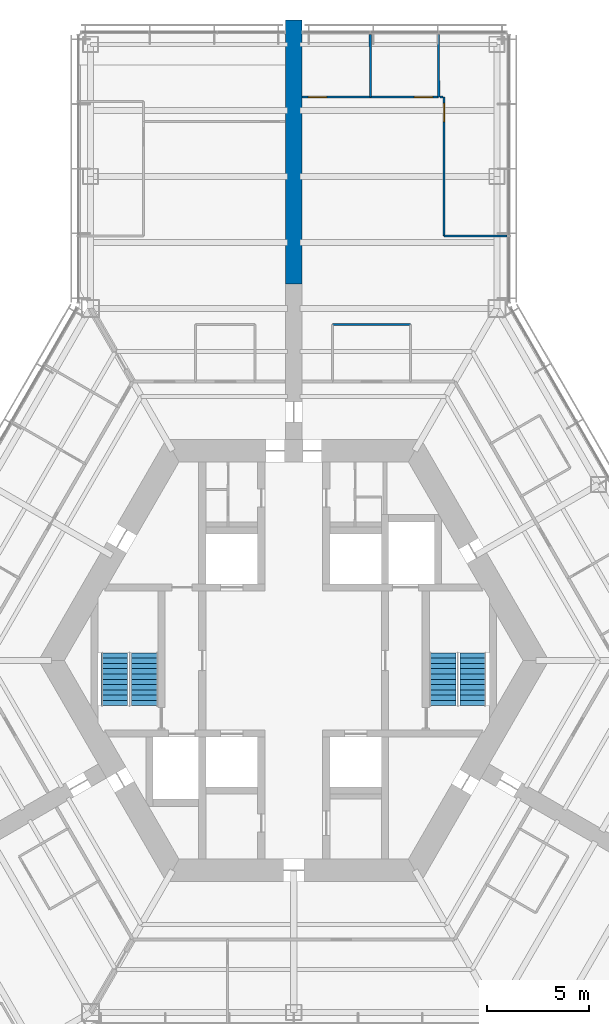
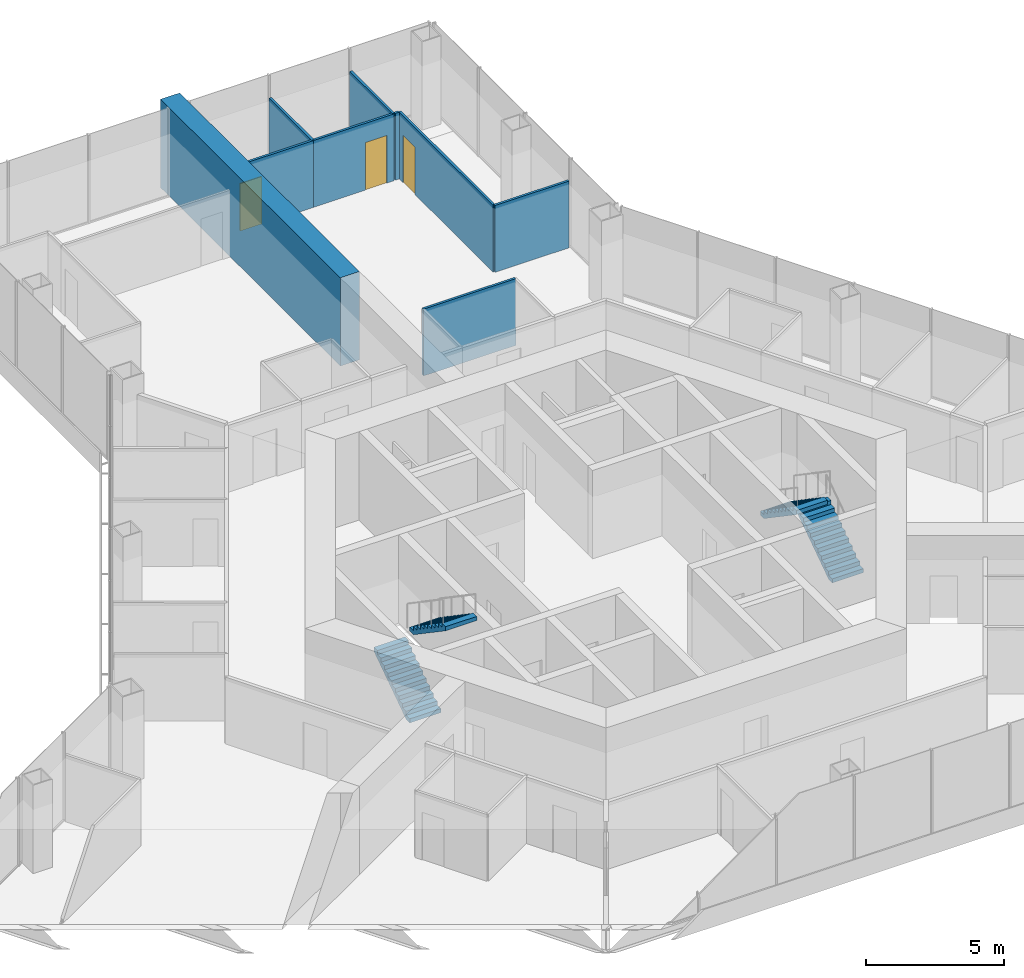
# One storey, part 16 of 19: 9 walls, 4 stair flights, 3 doors, 3 openings, 2 elements without a shape of their own.
"""IFC4 building model written with IfcOpenShell, lengths in metres."""

from ifc_helpers import new_model, si_unit, direction, frame, frame_2d, origin, place, context, subcontext, project, spatial, polyline, rectangle, outline, extrude, material, layer, layer_set, type_object, element, fill, aggregate, save


model = new_model("IFC4")

# Units and contexts
model_context = context("Model", 3, precision=1e-05, world=origin(), true_north=direction((0.0, 1.0)))
body_context = subcontext(model_context, "Body", "Model", "MODEL_VIEW")
ifc_project = project(units=[si_unit("LENGTHUNIT", "METRE"), si_unit("AREAUNIT", "SQUARE_METRE"), si_unit("VOLUMEUNIT", "CUBIC_METRE"), si_unit("PLANEANGLEUNIT", "RADIAN"), si_unit("MASSUNIT", "GRAM", prefix="KILO")], contexts=[model_context])

# Site, building, storey
site_placement = place(None, origin())
site = spatial("IfcSite", under=ifc_project, at=site_placement, CompositionType="ELEMENT")
building_placement = place(site_placement, origin())
building = spatial("IfcBuilding", under=site, at=building_placement, Name="Kasaneha Research Tower", CompositionType="ELEMENT")
storey_placement = place(building_placement, frame((0.0, 0.0, 96.300048828125)))
storey = spatial("IfcBuildingStorey", under=building, at=storey_placement, Name="L24", CompositionType="ELEMENT", Elevation=96.300048828125)

# Walls
ifc_material_1 = material(Name="Gypsum board on steel studs, one layer each side", Category="steel")
ifc_layer_1 = layer(ifc_material_1, 0.10009765625)
ifc_layer_set_1 = layer_set([ifc_layer_1], Name="Office partition 100")
wall_type_1 = type_object("IfcWallType", Name="Office partition 100", PredefinedType="PARTITIONING", material=ifc_layer_set_1)
wall_1_placement = place(storey_placement, frame((1.89990234375, 16.52490234375, 0.0), z_axis=(0.0, 0.0, 1.0), x_axis=(1.0, 0.0, 0.0)))
element("IfcWall", 1, at=wall_1_placement, inside=storey, type_object=wall_type_1, Name="Office partition FAE09 L24", PredefinedType="PARTITIONING", context=body_context, shape_type="SweptSolid", body=[
    extrude(rectangle(XDim=3.857177734375, YDim=0.10009765625, at=frame_2d((1.9287109375, 0.0))), origin(), (0.0, 0.0, 1.0), 2.949951171875),
])
wall_2_placement = place(storey_placement, frame((7.13818359375, 27.719970703125, 0.0), z_axis=(0.0, 0.0, 1.0), x_axis=(-0.001426532072, 0.999998982503, 0.0)))
element("IfcWall", 2, at=wall_2_placement, inside=storey, type_object=wall_type_1, Name="Office partition FAE15 L24", PredefinedType="PARTITIONING", context=body_context, shape_type="SweptSolid", body=[
    extrude(rectangle(XDim=3.08056640625, YDim=0.10009765625, at=frame_2d((1.540283203125, 0.0))), origin(), (0.0, 0.0, 1.0), 2.949951171875),
])

# Wall, opening, door
wall_3_placement = place(storey_placement, frame((7.39990234375, 20.89111328125, 0.0), z_axis=(0.0, 0.0, 1.0), x_axis=(-0.00014301548, 0.999999989773, 0.0)))
wall_3 = element("IfcWall", 3, at=wall_3_placement, inside=storey, type_object=wall_type_1, Name="Office partition FAE16 L24", PredefinedType="PARTITIONING", context=body_context, shape_type="SweptSolid", body=[
    extrude(rectangle(XDim=6.828369140625, YDim=0.10009765625, at=frame_2d((3.4140625, 0.0))), origin(), (0.0, 0.0, 1.0), 2.949951171875),
])
opening_1_placement = place(wall_3_placement, frame((5.62841796875, 0.0, 0.0)))
opening_1 = element("IfcOpeningElement", 4, at=opening_1_placement, cuts=wall_3, Name="Opening L24-D31", PredefinedType="OPENING", context=body_context, shape_type="SweptSolid", body=[
    extrude(rectangle(XDim=0.89990234375, YDim=2.10009765625, at=frame_2d((0.449951171875, 1.050048828125))), frame((0.0, 0.06005859375, 0.0), z_axis=(0.0, -1.0, 0.0), x_axis=(1.0, 0.0, 0.0)), (0.0, 0.0, 1.0), 0.1201171875),
])
ifc_material_2 = material(Name="Timber veneer", Category="wood")
door_type = type_object("IfcDoorType", Name="Office door 900x2100", OperationType="SINGLE_SWING_LEFT", PredefinedType="DOOR", material=ifc_material_2)
door_1_placement = place(opening_1_placement, origin())
door_1 = element("IfcDoor", 5, at=door_1_placement, inside=storey, type_object=door_type, Name="Manager's office door L24-D31", OperationType="SINGLE_SWING_RIGHT", OverallHeight=2.10009765625, OverallWidth=0.89990234375, PredefinedType="DOOR", context=body_context, shape_type="SweptSolid", body=[
    extrude(rectangle(XDim=0.89990234375, YDim=2.10009765625, at=frame_2d((0.449951171875, 1.050048828125))), frame((0.0, 0.02490234375, 0.0), z_axis=(0.0, -1.0, 0.0), x_axis=(1.0, 0.0, 0.0)), (0.0, 0.0, 1.0), 0.050048828125),
])
fill(opening_1, door_1)

# Walls
wall_4_placement = place(storey_placement, frame((10.5, 20.89111328125, 0.0), z_axis=(0.0, 0.0, 1.0), x_axis=(-1.0, 0.0, 0.0)))
element("IfcWall", 6, at=wall_4_placement, inside=storey, type_object=wall_type_1, Name="Office partition FAE17 L24", PredefinedType="PARTITIONING", context=body_context, shape_type="SweptSolid", body=[
    extrude(rectangle(XDim=3.10009765625, YDim=0.10009765625, at=frame_2d((1.550048828125, 0.0))), origin(), (0.0, 0.0, 1.0), 2.949951171875),
])
wall_5_placement = place(storey_placement, frame((3.771728515625, 27.720458984375, 0.0), z_axis=(0.0, 0.0, 1.0), x_axis=(-0.001664550643, 0.999998614635, 0.0)))
element("IfcWall", 7, at=wall_5_placement, inside=storey, type_object=wall_type_1, Name="Office partition FAE18 L24", PredefinedType="PARTITIONING", context=body_context, shape_type="SweptSolid", body=[
    extrude(rectangle(XDim=3.080078125, YDim=0.10009765625, at=frame_2d((1.5400390625, 0.0))), origin(), (0.0, 0.0, 1.0), 2.949951171875),
])

# Wall, opening, door
wall_6_placement = place(storey_placement, frame((7.13330078125, 27.724609375, 0.0), z_axis=(0.0, 0.0, 1.0), x_axis=(-0.999999997371, 7.2516316e-05, 0.0)))
wall_6 = element("IfcWall", 8, at=wall_6_placement, inside=storey, type_object=wall_type_1, Name="Office partition FAE19 L24", PredefinedType="PARTITIONING", context=body_context, shape_type="SweptSolid", body=[
    extrude(rectangle(XDim=3.36669921875, YDim=0.10009765625, at=frame_2d((1.683349609375, 0.0))), origin(), (0.0, 0.0, 1.0), 2.949951171875),
])
opening_2_placement = place(wall_6_placement, frame((0.300048828125, 0.0, 0.0)))
opening_2 = element("IfcOpeningElement", 9, at=opening_2_placement, cuts=wall_6, Name="Opening L24-D32", PredefinedType="OPENING", context=body_context, shape_type="SweptSolid", body=[
    extrude(rectangle(XDim=0.89990234375, YDim=2.10009765625, at=frame_2d((0.449951171875, 1.050048828125))), frame((0.0, 0.06005859375, 0.0), z_axis=(0.0, -1.0, 0.0), x_axis=(1.0, 0.0, 0.0)), (0.0, 0.0, 1.0), 0.1201171875),
])
door_2_placement = place(opening_2_placement, origin())
door_2 = element("IfcDoor", 10, at=door_2_placement, inside=storey, type_object=door_type, Name="Manager's office door L24-D32", OperationType="SINGLE_SWING_LEFT", OverallHeight=2.10009765625, OverallWidth=0.89990234375, PredefinedType="DOOR", context=body_context, shape_type="SweptSolid", body=[
    extrude(rectangle(XDim=0.89990234375, YDim=2.10009765625, at=frame_2d((0.449951171875, 1.050048828125))), frame((0.0, 0.02490234375, 0.0), z_axis=(0.0, -1.0, 0.0), x_axis=(1.0, 0.0, 0.0)), (0.0, 0.0, 1.0), 0.050048828125),
])
fill(opening_2, door_2)

wall_7_placement = place(storey_placement, frame((3.7666015625, 27.724853515625, 0.0), z_axis=(0.0, 0.0, 1.0), x_axis=(-0.999999137883, -0.001313100706, 0.0)))
wall_7 = element("IfcWall", 11, at=wall_7_placement, inside=storey, type_object=wall_type_1, Name="Office partition FAE20 L24", PredefinedType="PARTITIONING", context=body_context, shape_type="SweptSolid", body=[
    extrude(rectangle(XDim=3.3466796875, YDim=0.10009765625, at=frame_2d((1.67333984375, 0.0))), origin(), (0.0, 0.0, 1.0), 2.949951171875),
])
opening_3_placement = place(wall_7_placement, frame((2.146728515625, 0.0, 0.0)))
opening_3 = element("IfcOpeningElement", 12, at=opening_3_placement, cuts=wall_7, Name="Opening L24-D33", PredefinedType="OPENING", context=body_context, shape_type="SweptSolid", body=[
    extrude(rectangle(XDim=0.89990234375, YDim=2.10009765625, at=frame_2d((0.449951171875, 1.050048828125))), frame((0.0, 0.06005859375, 0.0), z_axis=(0.0, -1.0, 0.0), x_axis=(1.0, 0.0, 0.0)), (0.0, 0.0, 1.0), 0.1201171875),
])
door_3_placement = place(opening_3_placement, origin())
door_3 = element("IfcDoor", 13, at=door_3_placement, inside=storey, type_object=door_type, Name="Manager's office door L24-D33", OperationType="SINGLE_SWING_RIGHT", OverallHeight=2.10009765625, OverallWidth=0.89990234375, PredefinedType="DOOR", context=body_context, shape_type="SweptSolid", body=[
    extrude(rectangle(XDim=0.89990234375, YDim=2.10009765625, at=frame_2d((0.449951171875, 1.050048828125))), frame((0.0, 0.02490234375, 0.0), z_axis=(0.0, -1.0, 0.0), x_axis=(1.0, 0.0, 0.0)), (0.0, 0.0, 1.0), 0.050048828125),
])
fill(opening_3, door_3)

# Walls
wall_8_placement = place(storey_placement, frame((7.34912109375, 27.7197265625, 0.0), z_axis=(0.0, 0.0, 1.0), x_axis=(-0.999998848674, 0.001517448936, 0.0)))
element("IfcWall", 14, at=wall_8_placement, inside=storey, type_object=wall_type_1, Name="Office partition closer PT5 L24", PredefinedType="PARTITIONING", context=body_context, shape_type="SweptSolid", body=[
    extrude(rectangle(XDim=0.160888671875, YDim=0.10009765625, at=frame_2d((0.08056640625, 0.0))), origin(), (0.0, 0.0, 1.0), 2.949951171875),
])
ifc_material_3 = material(Name="Concrete Fc80", Category="concrete")
ifc_layer_2 = layer(ifc_material_3, 0.800048828125)
ifc_layer_set_2 = layer_set([ifc_layer_2], Name="Spine wall 800 Fc80")
wall_type_2 = type_object("IfcWallType", Name="Spine wall 800 Fc80", PredefinedType="SHEAR", material=ifc_layer_set_2)
wall_9_placement = place(storey_placement, frame((0.0, 18.5205078125, 0.0), z_axis=(0.0, 0.0, 1.0), x_axis=(0.0, 1.0, 0.0)))
element("IfcWall", 15, at=wall_9_placement, inside=storey, type_object=wall_type_2, Name="Spine wall A wing L24", PredefinedType="SHEAR", context=body_context, shape_type="SweptSolid", body=[
    extrude(rectangle(XDim=13.0, YDim=0.800048828125, at=frame_2d((6.5, 0.0))), origin(), (0.0, 0.0, 1.0), 3.89990234375),
])

# Stair, stair flights
ifc_material_4 = material(Name="Concrete Fc24", Category="concrete")
stair_type = type_object("IfcStairType", Name="Half-turn stair 22 risers", PredefinedType="HALF_TURN_STAIR", material=ifc_material_4)
stair_1_placement = place(storey_placement, origin())
stair_1 = element("IfcStair", 16, at=stair_1_placement, inside=storey, type_object=stair_type, Name="Stair 1 L24", PredefinedType="HALF_TURN_STAIR")
ifc_material_5 = material(Name="Concrete Fc24", Category="concrete")
stair_flight_type = type_object("IfcStairFlightType", Name="Stair flight 11 risers 177.3", PredefinedType="STRAIGHT", material=ifc_material_5)
stair_flight_1_placement = place(storey_placement, frame((8.824951171875, -2.22509765625, 0.0), z_axis=(0.0, 0.0, 1.0), x_axis=(0.0, 1.0, 0.0)))
stair_flight_1 = element("IfcStairFlight", 17, at=stair_flight_1_placement, type_object=stair_flight_type, Name="ST1-22R flight 1", NumberOfRisers=11, NumberOfTreads=10, PredefinedType="STRAIGHT", RiserHeight=0.177272727, TreadLength=0.26, context=body_context, shape_type="SweptSolid", body=[
    extrude(outline(polyline([(0.0, 0.0), (0.0, 0.17724609375), (0.260009765625, 0.17724609375), (0.260009765625, 0.3544921875), (0.52001953125, 0.3544921875), (0.52001953125, 0.53173828125), (0.780029296875, 0.53173828125), (0.780029296875, 0.708984375), (1.0400390625, 0.708984375), (1.0400390625, 0.886474609375), (1.300048828125, 0.886474609375), (1.300048828125, 1.063720703125), (1.56005859375, 1.063720703125), (1.56005859375, 1.240966796875), (1.820068359375, 1.240966796875), (1.820068359375, 1.418212890625), (2.080078125, 1.418212890625), (2.080078125, 1.595458984375), (2.340087890625, 1.595458984375), (2.340087890625, 1.772705078125), (2.60009765625, 1.772705078125), (2.60009765625, 1.949951171875), (2.60009765625, 1.59130859375), (0.26611328125, 0.0), (0.0, 0.0)])), frame((0.0, 0.64990234375, 0.0), z_axis=(0.0, -1.0, 0.0), x_axis=(1.0, 0.0, 0.0)), (0.0, 0.0, 1.0), 1.300048828125),
])
stair_flight_2_placement = place(storey_placement, frame((7.324951171875, 0.375, 1.949951171875), z_axis=(0.0, 0.0, 1.0), x_axis=(0.0, -1.0, 0.0)))
stair_flight_2 = element("IfcStairFlight", 18, at=stair_flight_2_placement, type_object=stair_flight_type, Name="ST1-22R flight 2", NumberOfRisers=11, NumberOfTreads=10, PredefinedType="STRAIGHT", RiserHeight=0.177272727, TreadLength=0.26, context=body_context, shape_type="SweptSolid", body=[
    extrude(outline(polyline([(0.0, 0.0), (0.0, 0.17724609375), (0.260009765625, 0.17724609375), (0.260009765625, 0.3544921875), (0.52001953125, 0.3544921875), (0.52001953125, 0.53173828125), (0.780029296875, 0.53173828125), (0.780029296875, 0.708984375), (1.0400390625, 0.708984375), (1.0400390625, 0.886474609375), (1.300048828125, 0.886474609375), (1.300048828125, 1.063720703125), (1.56005859375, 1.063720703125), (1.56005859375, 1.240966796875), (1.820068359375, 1.240966796875), (1.820068359375, 1.418212890625), (2.080078125, 1.418212890625), (2.080078125, 1.595458984375), (2.340087890625, 1.595458984375), (2.340087890625, 1.772705078125), (2.60009765625, 1.772705078125), (2.60009765625, 1.949951171875), (2.60009765625, 1.59130859375), (0.26611328125, 0.0), (0.0, 0.0)])), frame((0.0, 0.64990234375, 0.0), z_axis=(0.0, -1.0, 0.0), x_axis=(1.0, 0.0, 0.0)), (0.0, 0.0, 1.0), 1.300048828125),
])
aggregate(stair_1, [stair_flight_1, stair_flight_2])

stair_2_placement = place(storey_placement, origin())
stair_2 = element("IfcStair", 19, at=stair_2_placement, inside=storey, type_object=stair_type, Name="Stair 2 L24", PredefinedType="HALF_TURN_STAIR")
stair_flight_3_placement = place(storey_placement, frame((-8.824951171875, -2.22509765625, 0.0), z_axis=(0.0, 0.0, 1.0), x_axis=(0.0, 1.0, 0.0)))
stair_flight_3 = element("IfcStairFlight", 20, at=stair_flight_3_placement, type_object=stair_flight_type, Name="ST2-22R flight 1", NumberOfRisers=11, NumberOfTreads=10, PredefinedType="STRAIGHT", RiserHeight=0.177272727, TreadLength=0.26, context=body_context, shape_type="SweptSolid", body=[
    extrude(outline(polyline([(0.0, 0.0), (0.0, 0.17724609375), (0.260009765625, 0.17724609375), (0.260009765625, 0.3544921875), (0.52001953125, 0.3544921875), (0.52001953125, 0.53173828125), (0.780029296875, 0.53173828125), (0.780029296875, 0.708984375), (1.0400390625, 0.708984375), (1.0400390625, 0.886474609375), (1.300048828125, 0.886474609375), (1.300048828125, 1.063720703125), (1.56005859375, 1.063720703125), (1.56005859375, 1.240966796875), (1.820068359375, 1.240966796875), (1.820068359375, 1.418212890625), (2.080078125, 1.418212890625), (2.080078125, 1.595458984375), (2.340087890625, 1.595458984375), (2.340087890625, 1.772705078125), (2.60009765625, 1.772705078125), (2.60009765625, 1.949951171875), (2.60009765625, 1.59130859375), (0.26611328125, 0.0), (0.0, 0.0)])), frame((0.0, 0.64990234375, 0.0), z_axis=(0.0, -1.0, 0.0), x_axis=(1.0, 0.0, 0.0)), (0.0, 0.0, 1.0), 1.300048828125),
])
stair_flight_4_placement = place(storey_placement, frame((-7.324951171875, 0.375, 1.949951171875), z_axis=(0.0, 0.0, 1.0), x_axis=(0.0, -1.0, 0.0)))
stair_flight_4 = element("IfcStairFlight", 21, at=stair_flight_4_placement, type_object=stair_flight_type, Name="ST2-22R flight 2", NumberOfRisers=11, NumberOfTreads=10, PredefinedType="STRAIGHT", RiserHeight=0.177272727, TreadLength=0.26, context=body_context, shape_type="SweptSolid", body=[
    extrude(outline(polyline([(0.0, 0.0), (0.0, 0.17724609375), (0.260009765625, 0.17724609375), (0.260009765625, 0.3544921875), (0.52001953125, 0.3544921875), (0.52001953125, 0.53173828125), (0.780029296875, 0.53173828125), (0.780029296875, 0.708984375), (1.0400390625, 0.708984375), (1.0400390625, 0.886474609375), (1.300048828125, 0.886474609375), (1.300048828125, 1.063720703125), (1.56005859375, 1.063720703125), (1.56005859375, 1.240966796875), (1.820068359375, 1.240966796875), (1.820068359375, 1.418212890625), (2.080078125, 1.418212890625), (2.080078125, 1.595458984375), (2.340087890625, 1.595458984375), (2.340087890625, 1.772705078125), (2.60009765625, 1.772705078125), (2.60009765625, 1.949951171875), (2.60009765625, 1.59130859375), (0.26611328125, 0.0), (0.0, 0.0)])), frame((0.0, 0.64990234375, 0.0), z_axis=(0.0, -1.0, 0.0), x_axis=(1.0, 0.0, 0.0)), (0.0, 0.0, 1.0), 1.300048828125),
])
aggregate(stair_2, [stair_flight_3, stair_flight_4])

save(model, "model.ifc")
